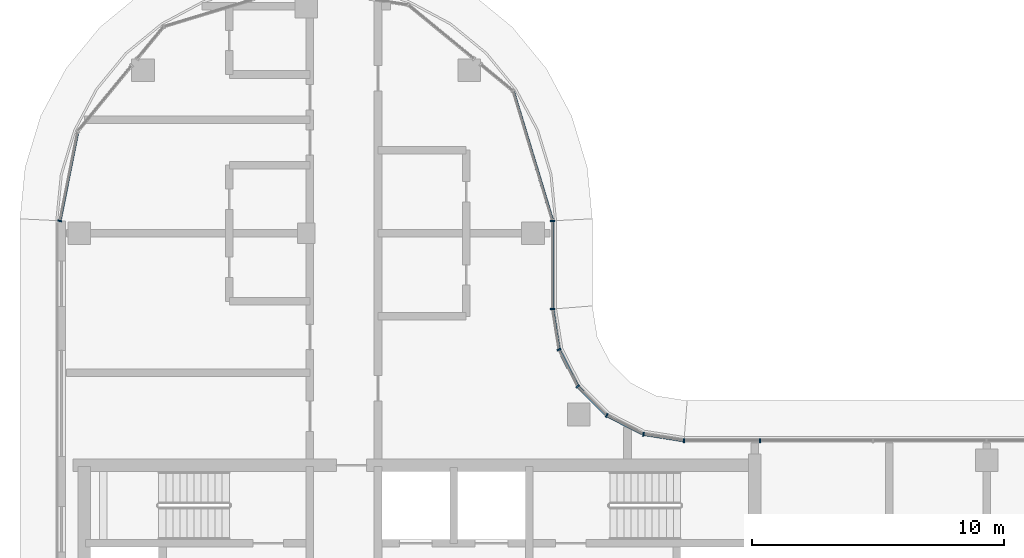
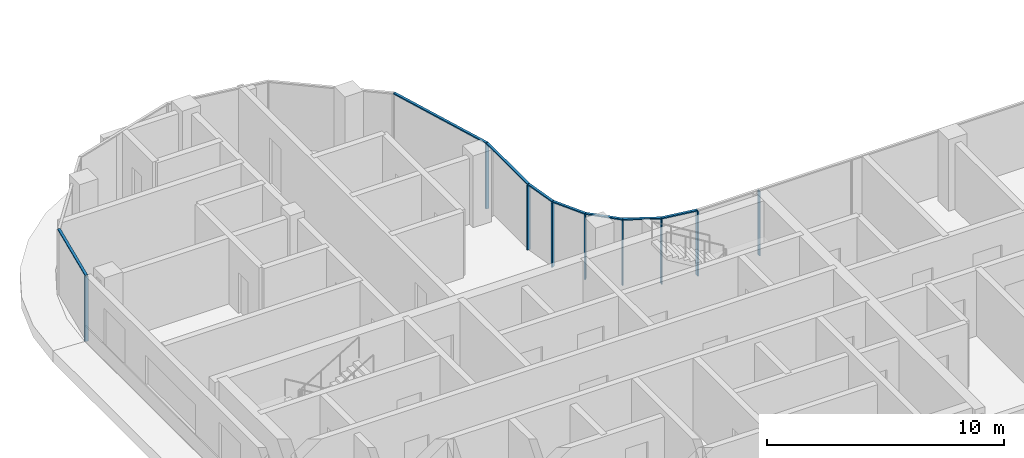
# One storey, part 2 of 22: 17 members, 5 elements without a shape of their own.
"""IFC4 building model written with IfcOpenShell, lengths in metres."""

from ifc_helpers import new_model, si_unit, direction, frame, origin, origin_2d, place, context, subcontext, project, spatial, rectangle, extrude, material, material_profile, profile_set, type_object, element, aggregate, save


model = new_model("IFC4")

# Units and contexts
model_context = context("Model", 3, precision=1e-05, world=origin(), true_north=direction((0.0, 1.0)))
body_context = subcontext(model_context, "Body", "Model", "MODEL_VIEW")
ifc_project = project(units=[si_unit("LENGTHUNIT", "METRE"), si_unit("AREAUNIT", "SQUARE_METRE"), si_unit("VOLUMEUNIT", "CUBIC_METRE"), si_unit("PLANEANGLEUNIT", "RADIAN"), si_unit("MASSUNIT", "GRAM", prefix="KILO")], contexts=[model_context])

# Site, building, storey
site_placement = place(None, origin())
site = spatial("IfcSite", under=ifc_project, at=site_placement, CompositionType="ELEMENT")
building_placement = place(site_placement, origin())
building = spatial("IfcBuilding", under=site, at=building_placement, Name="Ogive Portal Towers", CompositionType="ELEMENT")
storey_placement = place(building_placement, frame((0.0, 0.0, 206.89990234375)))
storey = spatial("IfcBuildingStorey", under=building, at=storey_placement, Name="L51", CompositionType="ELEMENT", Elevation=206.89990234375)

# Curtain wall, members
ifc_material_1 = material(Name="Glass, clear low-iron insulated glazing", Category="glass")
curtain_wall_type = type_object("IfcCurtainWallType", Name="CW FRONT RIBBON 4500", PredefinedType="NOTDEFINED", material=ifc_material_1)
curtain_wall_1_placement = place(storey_placement, origin())
curtain_wall_1 = element("IfcCurtainWall", 1, at=curtain_wall_1_placement, inside=storey, type_object=curtain_wall_type, Name="A:L51:f11:cw0", PredefinedType="NOTDEFINED")
ifc_material_2 = material(Name="Aluminium 6063 anodised", Category="aluminium")
ifc_material_profile_1 = material_profile(ifc_material_2, rectangle(XDim=0.159912109375, YDim=0.06005859375, at=origin_2d()), Name="AL 60x160")
ifc_profile_set_1 = profile_set([ifc_material_profile_1], Name="Aluminium 6063 anodised")
member_type_1 = type_object("IfcMemberType", Name="CW MULLION 60x160", PredefinedType="MULLION", material=ifc_profile_set_1)
member_1_placement = place(storey_placement, frame((58.5, 40.27490234375, 0.0), z_axis=(0.0, 0.0, 1.0), x_axis=(0.0, -1.0, 0.0)))
member_1 = element("IfcMember", 2, at=member_1_placement, type_object=member_type_1, Name="mullion", PredefinedType="MULLION", context=body_context, shape_type="SweptSolid", body=[
    extrude(rectangle(XDim=0.159912109375, YDim=0.06005859375, at=origin_2d()), origin(), (0.0, 0.0, 1.0), 3.340087890625),
])
member_2_placement = place(storey_placement, frame((55.49365234375, 40.27490234375, 0.0), z_axis=(0.0, 0.0, 1.0), x_axis=(0.0, -1.0, 0.0)))
member_2 = element("IfcMember", 3, at=member_2_placement, type_object=member_type_1, Name="mullion", PredefinedType="MULLION", context=body_context, shape_type="SweptSolid", body=[
    extrude(rectangle(XDim=0.159912109375, YDim=0.06005859375, at=origin_2d()), origin(), (0.0, 0.0, 1.0), 3.340087890625),
])
aggregate(curtain_wall_1, [member_1, member_2])

curtain_wall_2_placement = place(storey_placement, origin())
curtain_wall_2 = element("IfcCurtainWall", 4, at=curtain_wall_2_placement, inside=storey, type_object=curtain_wall_type, Name="A:L51:f17:cw0", PredefinedType="NOTDEFINED")
member_3_placement = place(storey_placement, frame((50.27490234375, 45.49365234375, 0.0), z_axis=(0.0, 0.0, 1.0), x_axis=(-1.0, 0.0, 0.0)))
member_3 = element("IfcMember", 5, at=member_3_placement, type_object=member_type_1, Name="mullion", PredefinedType="MULLION", context=body_context, shape_type="SweptSolid", body=[
    extrude(rectangle(XDim=0.159912109375, YDim=0.06005859375, at=origin_2d()), origin(), (0.0, 0.0, 1.0), 3.340087890625),
])
member_4_placement = place(storey_placement, frame((50.27490234375, 48.988037109375, 0.0), z_axis=(0.0, 0.0, 1.0), x_axis=(-1.0, 0.0, 0.0)))
member_4 = element("IfcMember", 6, at=member_4_placement, type_object=member_type_1, Name="mullion", PredefinedType="MULLION", context=body_context, shape_type="SweptSolid", body=[
    extrude(rectangle(XDim=0.159912109375, YDim=0.06005859375, at=origin_2d()), origin(), (0.0, 0.0, 1.0), 3.340087890625),
])

curtain_wall_3_placement = place(storey_placement, origin())
curtain_wall_3 = element("IfcCurtainWall", 7, at=curtain_wall_3_placement, inside=storey, type_object=curtain_wall_type, Name="A:L51:f12:cwa", PredefinedType="NOTDEFINED")
member_5_placement = place(storey_placement, frame((53.885009765625, 40.52978515625, 0.0), z_axis=(0.0, 0.0, 1.0), x_axis=(-0.15643446504, -0.987688340595, 0.0)))
member_5 = element("IfcMember", 8, at=member_5_placement, type_object=member_type_1, Name="mullion", PredefinedType="MULLION", context=body_context, shape_type="SweptSolid", body=[
    extrude(rectangle(XDim=0.159912109375, YDim=0.06005859375, at=origin_2d()), origin(), (0.0, 0.0, 1.0), 3.340087890625),
])
member_6_placement = place(storey_placement, frame((52.42822265625, 41.27197265625, 0.0), z_axis=(0.0, 0.0, 1.0), x_axis=(-0.45399049974, -0.891006524188, 0.0)))
member_6 = element("IfcMember", 9, at=member_6_placement, type_object=member_type_1, Name="mullion", PredefinedType="MULLION", context=body_context, shape_type="SweptSolid", body=[
    extrude(rectangle(XDim=0.159912109375, YDim=0.06005859375, at=origin_2d()), origin(), (0.0, 0.0, 1.0), 3.340087890625),
])
member_7_placement = place(storey_placement, frame((51.27197265625, 42.42822265625, 0.0), z_axis=(0.0, 0.0, 1.0), x_axis=(-0.707106781187, -0.707106781187, 0.0)))
member_7 = element("IfcMember", 10, at=member_7_placement, type_object=member_type_1, Name="mullion", PredefinedType="MULLION", context=body_context, shape_type="SweptSolid", body=[
    extrude(rectangle(XDim=0.159912109375, YDim=0.06005859375, at=origin_2d()), origin(), (0.0, 0.0, 1.0), 3.340087890625),
])
member_8_placement = place(storey_placement, frame((50.52978515625, 43.885009765625, 0.0), z_axis=(0.0, 0.0, 1.0), x_axis=(-0.891006524188, -0.45399049974, 0.0)))
member_8 = element("IfcMember", 11, at=member_8_placement, type_object=member_type_1, Name="mullion", PredefinedType="MULLION", context=body_context, shape_type="SweptSolid", body=[
    extrude(rectangle(XDim=0.159912109375, YDim=0.06005859375, at=origin_2d()), origin(), (0.0, 0.0, 1.0), 3.340087890625),
])

# Curtain wall, member
curtain_wall_4_placement = place(storey_placement, origin())
curtain_wall_4 = element("IfcCurtainWall", 12, at=curtain_wall_4_placement, inside=storey, type_object=curtain_wall_type, Name="A:L51:f18:cwa~2", PredefinedType="NOTDEFINED")
member_9_placement = place(storey_placement, frame((30.72509765625, 48.9921875, 0.0), z_axis=(0.0, 0.0, 1.0), x_axis=(0.980785280403, -0.195090322016, 0.0)))
member_9 = element("IfcMember", 13, at=member_9_placement, type_object=member_type_1, Name="mullion", PredefinedType="MULLION", context=body_context, shape_type="SweptSolid", body=[
    extrude(rectangle(XDim=0.159912109375, YDim=0.06005859375, at=origin_2d()), origin(), (0.0, 0.0, 1.0), 3.340087890625),
])

# Member
ifc_material_profile_2 = material_profile(ifc_material_2, rectangle(XDim=0.1201171875, YDim=0.06005859375, at=origin_2d()), Name="AL 120x60")
ifc_profile_set_2 = profile_set([ifc_material_profile_2], Name="Aluminium 6063 anodised")
member_type_2 = type_object("IfcMemberType", Name="CW TRANSOM 60x120", PredefinedType="USERDEFINED", material=ifc_profile_set_2)
member_10_placement = place(storey_placement, frame((50.27490234375, 45.49365234375, 3.3701171875), z_axis=(0.0, 1.0, 0.0), x_axis=(-1.0, 0.0, 0.0)))
member_10 = element("IfcMember", 14, at=member_10_placement, type_object=member_type_2, Name="transom", ObjectType="TRANSOM", PredefinedType="USERDEFINED", context=body_context, shape_type="SweptSolid", body=[
    extrude(rectangle(XDim=0.1201171875, YDim=0.06005859375, at=origin_2d()), origin(), (0.0, 0.0, 1.0), 3.494384765625),
])

aggregate(curtain_wall_2, [member_10, member_3, member_4])

member_11_placement = place(storey_placement, frame((55.49365234375, 40.27490234375, 3.3701171875), z_axis=(-0.987678960592, 0.156493676561, 0.0), x_axis=(-0.156493676561, -0.987678960592, 0.0)))
member_11 = element("IfcMember", 15, at=member_11_placement, type_object=member_type_2, Name="transom", ObjectType="TRANSOM", PredefinedType="USERDEFINED", context=body_context, shape_type="SweptSolid", body=[
    extrude(rectangle(XDim=0.1201171875, YDim=0.06005859375, at=origin_2d()), origin(), (0.0, 0.0, 1.0), 1.628662109375),
])

member_12_placement = place(storey_placement, frame((53.885009765625, 40.52978515625, 3.3701171875), z_axis=(-0.891026961257, 0.453950387502, 0.0), x_axis=(-0.453950387502, -0.891026961257, 0.0)))
member_12 = element("IfcMember", 16, at=member_12_placement, type_object=member_type_2, Name="transom", ObjectType="TRANSOM", PredefinedType="USERDEFINED", context=body_context, shape_type="SweptSolid", body=[
    extrude(rectangle(XDim=0.1201171875, YDim=0.06005859375, at=origin_2d()), origin(), (0.0, 0.0, 1.0), 1.635009765625),
])

member_13_placement = place(storey_placement, frame((52.42822265625, 41.27197265625, 3.3701171875), z_axis=(-0.707106781187, 0.707106781187, 0.0), x_axis=(-0.707106781187, -0.707106781187, 0.0)))
member_13 = element("IfcMember", 17, at=member_13_placement, type_object=member_type_2, Name="transom", ObjectType="TRANSOM", PredefinedType="USERDEFINED", context=body_context, shape_type="SweptSolid", body=[
    extrude(rectangle(XDim=0.1201171875, YDim=0.06005859375, at=origin_2d()), origin(), (0.0, 0.0, 1.0), 1.63525390625),
])

member_14_placement = place(storey_placement, frame((51.27197265625, 42.42822265625, 3.3701171875), z_axis=(-0.453950387502, 0.891026961257, 0.0), x_axis=(-0.891026961257, -0.453950387502, 0.0)))
member_14 = element("IfcMember", 18, at=member_14_placement, type_object=member_type_2, Name="transom", ObjectType="TRANSOM", PredefinedType="USERDEFINED", context=body_context, shape_type="SweptSolid", body=[
    extrude(rectangle(XDim=0.1201171875, YDim=0.06005859375, at=origin_2d()), origin(), (0.0, 0.0, 1.0), 1.635009765625),
])

member_15_placement = place(storey_placement, frame((50.52978515625, 43.885009765625, 3.3701171875), z_axis=(-0.156493676561, 0.987678960592, 0.0), x_axis=(-0.987678960592, -0.156493676561, 0.0)))
member_15 = element("IfcMember", 19, at=member_15_placement, type_object=member_type_2, Name="transom", ObjectType="TRANSOM", PredefinedType="USERDEFINED", context=body_context, shape_type="SweptSolid", body=[
    extrude(rectangle(XDim=0.1201171875, YDim=0.06005859375, at=origin_2d()), origin(), (0.0, 0.0, 1.0), 1.628662109375),
])

aggregate(curtain_wall_3, [member_11, member_12, member_13, member_14, member_15, member_5, member_6, member_7, member_8])

# Curtain wall, member
curtain_wall_5_placement = place(storey_placement, origin())
curtain_wall_5 = element("IfcCurtainWall", 20, at=curtain_wall_5_placement, inside=storey, type_object=curtain_wall_type, Name="A:L51:f18:cwa~0", PredefinedType="NOTDEFINED")
member_16_placement = place(storey_placement, frame((50.27490234375, 48.988037109375, 3.3701171875), z_axis=(-0.290248528925, 0.956951300463, 0.0), x_axis=(-0.956951300463, -0.290248528925, 0.0)))
member_16 = element("IfcMember", 21, at=member_16_placement, type_object=member_type_2, Name="transom", ObjectType="TRANSOM", PredefinedType="USERDEFINED", context=body_context, shape_type="SweptSolid", body=[
    extrude(rectangle(XDim=0.1201171875, YDim=0.06005859375, at=origin_2d()), origin(), (0.0, 0.0, 1.0), 5.39501953125),
])
aggregate(curtain_wall_5, [member_16])

# Member
member_17_placement = place(storey_placement, frame((31.431640625, 52.544677734375, 3.3701171875), z_axis=(-0.195066081684, -0.980790101794, 0.0), x_axis=(0.980790101794, -0.195066081684, 0.0)))
member_17 = element("IfcMember", 22, at=member_17_placement, type_object=member_type_2, Name="transom", ObjectType="TRANSOM", PredefinedType="USERDEFINED", context=body_context, shape_type="SweptSolid", body=[
    extrude(rectangle(XDim=0.1201171875, YDim=0.06005859375, at=origin_2d()), origin(), (0.0, 0.0, 1.0), 3.6220703125),
])

aggregate(curtain_wall_4, [member_17, member_9])

save(model, "model.ifc")
